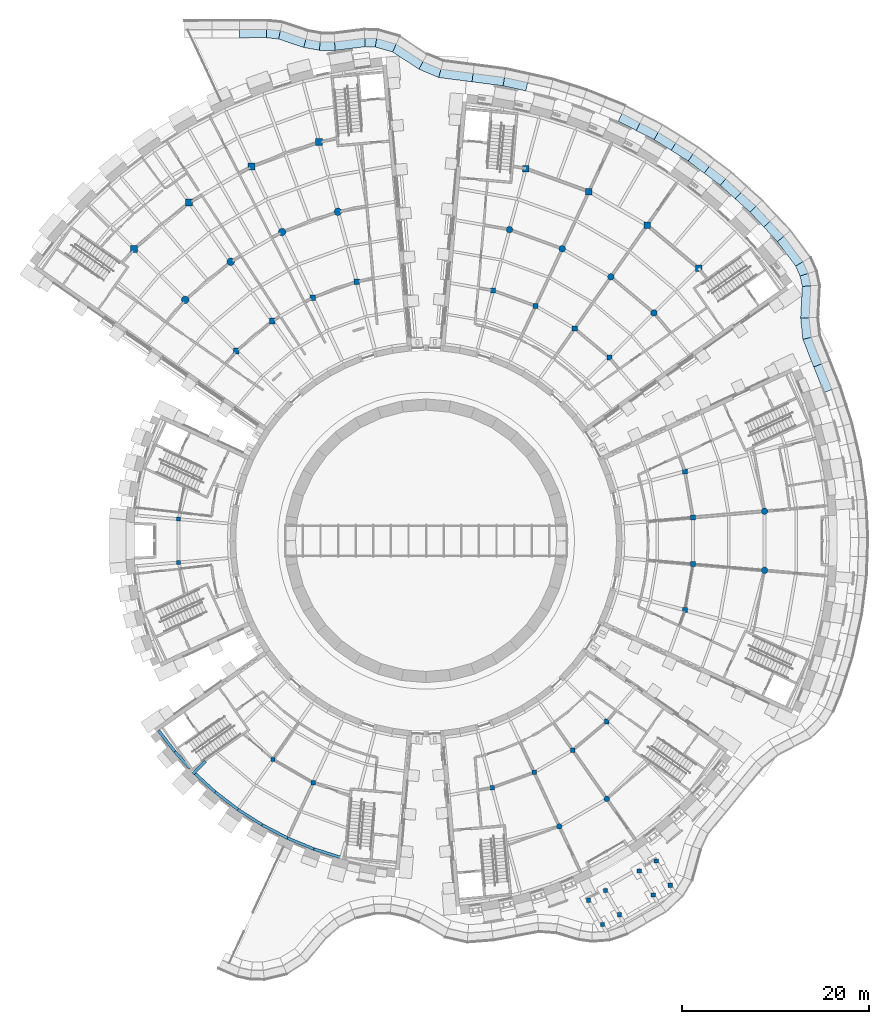
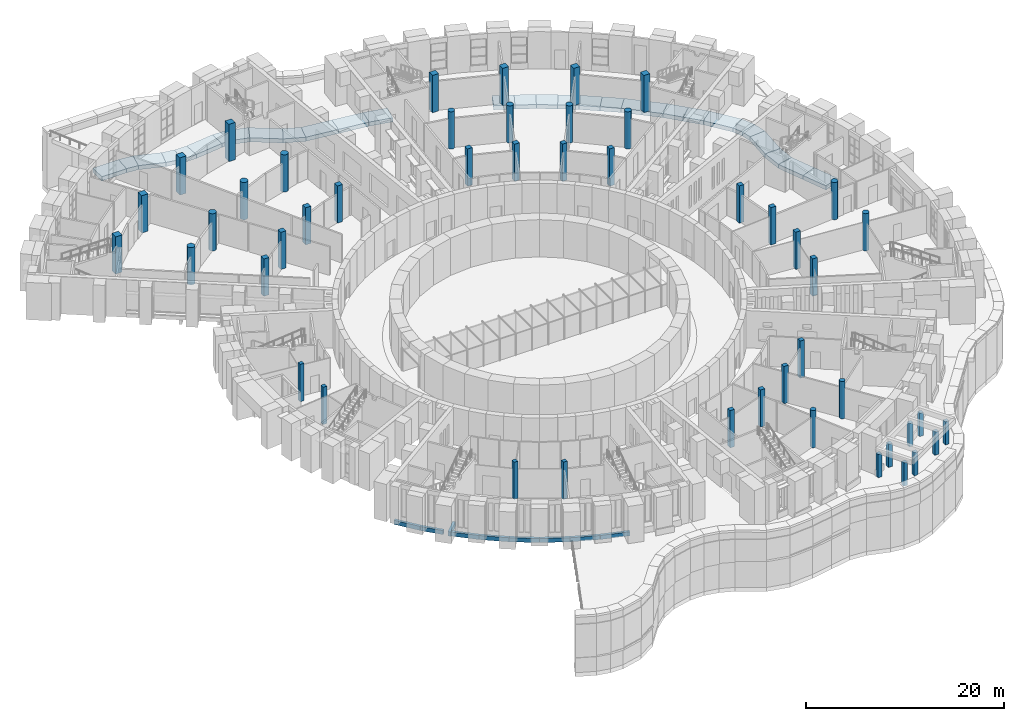
# One storey, part 2 of 85: 48 columns, 30 footings, 9 beams.
"""IFC4 building model written with IfcOpenShell, lengths in metres."""

from ifc_helpers import new_model, si_unit, direction, frame, origin, origin_2d, place, context, subcontext, project, spatial, polyline, rectangle, circle, outline, extrude, material, material_profile, profile_set, type_object, element, save


model = new_model("IFC4")

# Units and contexts
model_context = context("Model", 3, precision=1e-05, world=origin(), true_north=direction((0.0, 1.0)))
body_context = subcontext(model_context, "Body", "Model", "MODEL_VIEW")
ifc_project = project(units=[si_unit("LENGTHUNIT", "METRE"), si_unit("AREAUNIT", "SQUARE_METRE"), si_unit("VOLUMEUNIT", "CUBIC_METRE"), si_unit("PLANEANGLEUNIT", "RADIAN"), si_unit("MASSUNIT", "GRAM", prefix="KILO")], contexts=[model_context])

# Site, building, storey
site_placement = place(None, origin())
site = spatial("IfcSite", under=ifc_project, at=site_placement, CompositionType="ELEMENT")
building_placement = place(site_placement, origin())
building = spatial("IfcBuilding", under=site, at=building_placement, Name="Volute Hill Aquarium", CompositionType="ELEMENT")
storey_placement = place(building_placement, origin())
storey = spatial("IfcBuildingStorey", under=building, at=storey_placement, Name="L01", CompositionType="ELEMENT", Elevation=0.0)

# Footings
ifc_material_1 = material(Name="Concrete C30/37", Category="concrete")
footing_type = type_object("IfcFootingType", Name="Site edge wall footing C30/37 1800", PredefinedType="STRIP_FOOTING", material=ifc_material_1)
footing_1_placement = place(storey_placement, frame((0.0, 0.0, -6.5)))
element("IfcFooting", 1, at=footing_1_placement, inside=storey, type_object=footing_type, Name="ft/RWE/53.0", PredefinedType="STRIP_FOOTING", context=body_context, shape_type="SweptSolid", body=[
    extrude(outline(polyline([(44.31640625, 16.502197265625), (43.20947265625, 19.291259765625), (41.53662109375, 18.627197265625), (42.621826171875, 15.892822265625), (42.621826171875, 15.892822265625), (44.31640625, 16.502197265625), (44.31640625, 16.502197265625)])), origin(), (0.0, 0.0, 1.0), 0.5),
])
footing_2_placement = place(storey_placement, frame((0.0, 0.0, -6.5)))
element("IfcFooting", 2, at=footing_2_placement, inside=storey, type_object=footing_type, Name="ft/RWE/53.1", PredefinedType="STRIP_FOOTING", context=body_context, shape_type="SweptSolid", body=[
    extrude(outline(polyline([(42.131103515625, 22.008544921875), (42.131103515625, 22.008544921875), (40.3662109375, 21.576171875), (40.3662109375, 21.576171875), (41.53662109375, 18.627197265625), (43.20947265625, 19.291259765625), (42.131103515625, 22.008544921875)])), origin(), (0.0, 0.0, 1.0), 0.5),
])
footing_3_placement = place(storey_placement, frame((0.0, 0.0, -6.5)))
element("IfcFooting", 3, at=footing_3_placement, inside=storey, type_object=footing_type, Name="ft/RWE/54.0", PredefinedType="STRIP_FOOTING", context=body_context, shape_type="SweptSolid", body=[
    extrude(outline(polyline([(42.131103515625, 22.008544921875), (41.93408203125, 23.919677734375), (40.129150390625, 23.875), (40.3662109375, 21.576171875), (42.131103515625, 22.008544921875)])), origin(), (0.0, 0.0, 1.0), 0.5),
])
footing_4_placement = place(storey_placement, frame((0.0, 0.0, -6.5)))
element("IfcFooting", 4, at=footing_4_placement, inside=storey, type_object=footing_type, Name="ft/RWE/55.0", PredefinedType="STRIP_FOOTING", context=body_context, shape_type="SweptSolid", body=[
    extrude(outline(polyline([(42.118896484375, 27.39306640625), (42.118896484375, 27.39306640625), (40.30859375, 27.24951171875), (40.30859375, 27.24951171875), (40.129150390625, 23.875), (40.129150390625, 23.875), (41.93408203125, 23.919677734375), (41.93408203125, 23.919677734375), (42.118896484375, 27.39306640625)])), origin(), (0.0, 0.0, 1.0), 0.5),
])
footing_5_placement = place(storey_placement, frame((0.0, 0.0, -6.5)))
element("IfcFooting", 5, at=footing_5_placement, inside=storey, type_object=footing_type, Name="ft/RWE/56.0", PredefinedType="STRIP_FOOTING", context=body_context, shape_type="SweptSolid", body=[
    extrude(outline(polyline([(42.118896484375, 27.39306640625), (41.790771484375, 28.919921875), (40.06982421875, 28.361328125), (40.30859375, 27.24951171875), (42.118896484375, 27.39306640625)])), origin(), (0.0, 0.0, 1.0), 0.5),
])
footing_6_placement = place(storey_placement, frame((0.0, 0.0, -6.5)))
element("IfcFooting", 6, at=footing_6_placement, inside=storey, type_object=footing_type, Name="ft/RWE/57.0", PredefinedType="STRIP_FOOTING", context=body_context, shape_type="SweptSolid", body=[
    extrude(outline(polyline([(41.1572265625, 30.353759765625), (41.1572265625, 30.353759765625), (39.593505859375, 29.439208984375), (39.593505859375, 29.439208984375), (40.06982421875, 28.361328125), (40.06982421875, 28.361328125), (41.790771484375, 28.919921875), (41.790771484375, 28.919921875), (41.1572265625, 30.353759765625)])), origin(), (0.0, 0.0, 1.0), 0.5),
])
footing_7_placement = place(storey_placement, frame((0.0, 0.0, -6.5)))
element("IfcFooting", 7, at=footing_7_placement, inside=storey, type_object=footing_type, Name="ft/RWE/58.0", PredefinedType="STRIP_FOOTING", context=body_context, shape_type="SweptSolid", body=[
    extrude(outline(polyline([(41.1572265625, 30.353759765625), (39.025634765625, 33.20263671875), (37.6416015625, 32.0478515625), (37.6416015625, 32.0478515625), (39.593505859375, 29.439208984375), (41.1572265625, 30.353759765625)])), origin(), (0.0, 0.0, 1.0), 0.5),
])
footing_8_placement = place(storey_placement, frame((0.0, 0.0, -6.5)))
element("IfcFooting", 8, at=footing_8_placement, inside=storey, type_object=footing_type, Name="ft/RWE/59.0", PredefinedType="STRIP_FOOTING", context=body_context, shape_type="SweptSolid", body=[
    extrude(outline(polyline([(39.025634765625, 33.20263671875), (37.50390625, 34.8408203125), (36.18505859375, 33.615966796875), (37.6416015625, 32.0478515625), (39.025634765625, 33.20263671875), (39.025634765625, 33.20263671875)])), origin(), (0.0, 0.0, 1.0), 0.5),
])
footing_9_placement = place(storey_placement, frame((0.0, 0.0, -6.5)))
element("IfcFooting", 9, at=footing_9_placement, inside=storey, type_object=footing_type, Name="ft/RWE/59.1", PredefinedType="STRIP_FOOTING", context=body_context, shape_type="SweptSolid", body=[
    extrude(outline(polyline([(37.50390625, 34.8408203125), (35.985107421875, 36.47607421875), (34.719970703125, 35.193359375), (36.18505859375, 33.615966796875), (37.50390625, 34.8408203125)])), origin(), (0.0, 0.0, 1.0), 0.5),
])
footing_10_placement = place(storey_placement, frame((0.0, 0.0, -6.5)))
element("IfcFooting", 10, at=footing_10_placement, inside=storey, type_object=footing_type, Name="ft/RWE/60.0", PredefinedType="STRIP_FOOTING", context=body_context, shape_type="SweptSolid", body=[
    extrude(outline(polyline([(35.985107421875, 36.47607421875), (34.327392578125, 37.974609375), (33.120361328125, 36.639404296875), (34.719970703125, 35.193359375), (34.719970703125, 35.193359375), (35.985107421875, 36.47607421875), (35.985107421875, 36.47607421875)])), origin(), (0.0, 0.0, 1.0), 0.5),
])
footing_11_placement = place(storey_placement, frame((0.0, 0.0, -6.5)))
element("IfcFooting", 11, at=footing_11_placement, inside=storey, type_object=footing_type, Name="ft/RWE/60.1", PredefinedType="STRIP_FOOTING", context=body_context, shape_type="SweptSolid", body=[
    extrude(outline(polyline([(32.66943359375, 39.473388671875), (32.66943359375, 39.473388671875), (31.5205078125, 38.085205078125), (31.5205078125, 38.085205078125), (33.120361328125, 36.639404296875), (34.327392578125, 37.974609375), (32.66943359375, 39.473388671875)])), origin(), (0.0, 0.0, 1.0), 0.5),
])
footing_12_placement = place(storey_placement, frame((0.0, 0.0, -6.5)))
element("IfcFooting", 12, at=footing_12_placement, inside=storey, type_object=footing_type, Name="ft/RWE/61.0", PredefinedType="STRIP_FOOTING", context=body_context, shape_type="SweptSolid", body=[
    extrude(outline(polyline([(32.66943359375, 39.473388671875), (30.886962890625, 40.822021484375), (29.80078125, 39.386474609375), (31.5205078125, 38.085205078125), (32.66943359375, 39.473388671875)])), origin(), (0.0, 0.0, 1.0), 0.5),
])
footing_13_placement = place(storey_placement, frame((0.0, 0.0, -6.5)))
element("IfcFooting", 13, at=footing_13_placement, inside=storey, type_object=footing_type, Name="ft/RWE/61.1", PredefinedType="STRIP_FOOTING", context=body_context, shape_type="SweptSolid", body=[
    extrude(outline(polyline([(29.1044921875, 42.170654296875), (29.1044921875, 42.170654296875), (28.0810546875, 40.687744140625), (28.0810546875, 40.687744140625), (29.80078125, 39.386474609375), (30.886962890625, 40.822021484375), (29.1044921875, 42.170654296875)])), origin(), (0.0, 0.0, 1.0), 0.5),
])
footing_14_placement = place(storey_placement, frame((0.0, 0.0, -6.5)))
element("IfcFooting", 14, at=footing_14_placement, inside=storey, type_object=footing_type, Name="ft/RWE/62.0", PredefinedType="STRIP_FOOTING", context=body_context, shape_type="SweptSolid", body=[
    extrude(outline(polyline([(29.1044921875, 42.170654296875), (27.21142578125, 43.358642578125), (26.254638671875, 41.833984375), (28.0810546875, 40.687744140625), (29.1044921875, 42.170654296875)])), origin(), (0.0, 0.0, 1.0), 0.5),
])
footing_15_placement = place(storey_placement, frame((0.0, 0.0, -6.5)))
element("IfcFooting", 15, at=footing_15_placement, inside=storey, type_object=footing_type, Name="ft/RWE/62.1", PredefinedType="STRIP_FOOTING", context=body_context, shape_type="SweptSolid", body=[
    extrude(outline(polyline([(27.21142578125, 43.358642578125), (25.318603515625, 44.546630859375), (24.42822265625, 42.980224609375), (24.42822265625, 42.980224609375), (26.254638671875, 41.833984375), (27.21142578125, 43.358642578125)])), origin(), (0.0, 0.0, 1.0), 0.5),
])
footing_16_placement = place(storey_placement, frame((0.0, 0.0, -6.5)))
element("IfcFooting", 16, at=footing_16_placement, inside=storey, type_object=footing_type, Name="ft/RWE/63.0", PredefinedType="STRIP_FOOTING", context=body_context, shape_type="SweptSolid", body=[
    extrude(outline(polyline([(25.318603515625, 44.546630859375), (23.3291015625, 45.565185546875), (22.5087890625, 43.963134765625), (24.42822265625, 42.980224609375), (25.318603515625, 44.546630859375), (25.318603515625, 44.546630859375)])), origin(), (0.0, 0.0, 1.0), 0.5),
])
footing_17_placement = place(storey_placement, frame((0.0, 0.0, -6.5)))
element("IfcFooting", 17, at=footing_17_placement, inside=storey, type_object=footing_type, Name="ft/RWE/63.1", PredefinedType="STRIP_FOOTING", context=body_context, shape_type="SweptSolid", body=[
    extrude(outline(polyline([(23.3291015625, 45.565185546875), (21.339599609375, 46.583984375), (20.589111328125, 44.94580078125), (22.5087890625, 43.963134765625), (23.3291015625, 45.565185546875)])), origin(), (0.0, 0.0, 1.0), 0.5),
])
footing_18_placement = place(storey_placement, frame((0.0, 0.0, -6.5)))
element("IfcFooting", 18, at=footing_18_placement, inside=storey, type_object=footing_type, Name="ft/RWE/66.1", PredefinedType="STRIP_FOOTING", context=body_context, shape_type="SweptSolid", body=[
    extrude(outline(polyline([(11.076416015625, 49.960693359375), (8.55419921875, 50.519775390625), (8.2431640625, 48.7451171875), (10.68701171875, 48.203369140625), (11.076416015625, 49.960693359375)])), origin(), (0.0, 0.0, 1.0), 0.5),
])
footing_19_placement = place(storey_placement, frame((0.0, 0.0, -6.5)))
element("IfcFooting", 19, at=footing_19_placement, inside=storey, type_object=footing_type, Name="ft/RWE/67.0", PredefinedType="STRIP_FOOTING", context=body_context, shape_type="SweptSolid", body=[
    extrude(outline(polyline([(8.55419921875, 50.519775390625), (5.14892578125, 50.96044921875), (4.91796875, 49.17529296875), (8.2431640625, 48.7451171875), (8.2431640625, 48.7451171875), (8.55419921875, 50.519775390625), (8.55419921875, 50.519775390625)])), origin(), (0.0, 0.0, 1.0), 0.5),
])
footing_20_placement = place(storey_placement, frame((0.0, 0.0, -6.5)))
element("IfcFooting", 20, at=footing_20_placement, inside=storey, type_object=footing_type, Name="ft/RWE/67.1", PredefinedType="STRIP_FOOTING", context=body_context, shape_type="SweptSolid", body=[
    extrude(outline(polyline([(5.14892578125, 50.96044921875), (1.82373046875, 51.390625), (1.3525390625, 49.636474609375), (4.91796875, 49.17529296875), (5.14892578125, 50.96044921875)])), origin(), (0.0, 0.0, 1.0), 0.5),
])
footing_21_placement = place(storey_placement, frame((0.0, 0.0, -6.5)))
element("IfcFooting", 21, at=footing_21_placement, inside=storey, type_object=footing_type, Name="ft/RWE/68.0", PredefinedType="STRIP_FOOTING", context=body_context, shape_type="SweptSolid", body=[
    extrude(outline(polyline([(1.82373046875, 51.390625), (0.07958984375, 52.1201171875), (-0.7685546875, 50.523681640625), (1.3525390625, 49.636474609375), (1.3525390625, 49.636474609375), (1.82373046875, 51.390625), (1.82373046875, 51.390625)])), origin(), (0.0, 0.0, 1.0), 0.5),
])
footing_22_placement = place(storey_placement, frame((0.0, 0.0, -6.5)))
element("IfcFooting", 22, at=footing_22_placement, inside=storey, type_object=footing_type, Name="ft/RWE/69.0", PredefinedType="STRIP_FOOTING", context=body_context, shape_type="SweptSolid", body=[
    extrude(outline(polyline([(0.07958984375, 52.1201171875), (-2.83056640625, 54.029541015625), (-3.589599609375, 52.37451171875), (-0.7685546875, 50.523681640625), (-0.7685546875, 50.523681640625), (0.07958984375, 52.1201171875), (0.07958984375, 52.1201171875)])), origin(), (0.0, 0.0, 1.0), 0.5),
])
footing_23_placement = place(storey_placement, frame((0.0, 0.0, -6.5)))
element("IfcFooting", 23, at=footing_23_placement, inside=storey, type_object=footing_type, Name="ft/RWE/70.0", PredefinedType="STRIP_FOOTING", context=body_context, shape_type="SweptSolid", body=[
    extrude(outline(polyline([(-5.16748046875, 54.699951171875), (-5.16748046875, 54.699951171875), (-5.4443359375, 52.90673828125), (-5.4443359375, 52.90673828125), (-3.589599609375, 52.37451171875), (-3.589599609375, 52.37451171875), (-2.83056640625, 54.029541015625), (-2.83056640625, 54.029541015625), (-5.16748046875, 54.699951171875)])), origin(), (0.0, 0.0, 1.0), 0.5),
])
footing_24_placement = place(storey_placement, frame((0.0, 0.0, -6.5)))
element("IfcFooting", 24, at=footing_24_placement, inside=storey, type_object=footing_type, Name="ft/RWE/71.0", PredefinedType="STRIP_FOOTING", context=body_context, shape_type="SweptSolid", body=[
    extrude(outline(polyline([(-5.16748046875, 54.699951171875), (-6.619384765625, 54.739013671875), (-6.53369140625, 52.93603515625), (-5.4443359375, 52.90673828125), (-5.16748046875, 54.699951171875)])), origin(), (0.0, 0.0, 1.0), 0.5),
])
footing_25_placement = place(storey_placement, frame((0.0, 0.0, -6.5)))
element("IfcFooting", 25, at=footing_25_placement, inside=storey, type_object=footing_type, Name="ft/RWE/72.0", PredefinedType="STRIP_FOOTING", context=body_context, shape_type="SweptSolid", body=[
    extrude(outline(polyline([(-6.619384765625, 54.739013671875), (-9.85546875, 54.34326171875), (-9.751220703125, 52.54248046875), (-6.53369140625, 52.93603515625), (-6.53369140625, 52.93603515625), (-6.619384765625, 54.739013671875), (-6.619384765625, 54.739013671875)])), origin(), (0.0, 0.0, 1.0), 0.5),
])
footing_26_placement = place(storey_placement, frame((0.0, 0.0, -6.5)))
element("IfcFooting", 26, at=footing_26_placement, inside=storey, type_object=footing_type, Name="ft/RWE/73.0", PredefinedType="STRIP_FOOTING", context=body_context, shape_type="SweptSolid", body=[
    extrude(outline(polyline([(-9.85546875, 54.34326171875), (-11.2666015625, 54.3515625), (-11.431640625, 52.552490234375), (-9.751220703125, 52.54248046875), (-9.751220703125, 52.54248046875), (-9.85546875, 54.34326171875), (-9.85546875, 54.34326171875)])), origin(), (0.0, 0.0, 1.0), 0.5),
])
footing_27_placement = place(storey_placement, frame((0.0, 0.0, -6.5)))
element("IfcFooting", 27, at=footing_27_placement, inside=storey, type_object=footing_type, Name="ft/RWE/74.0", PredefinedType="STRIP_FOOTING", context=body_context, shape_type="SweptSolid", body=[
    extrude(outline(polyline([(-12.658935546875, 54.6005859375), (-12.658935546875, 54.6005859375), (-13.107421875, 52.852294921875), (-13.107421875, 52.852294921875), (-11.431640625, 52.552490234375), (-11.431640625, 52.552490234375), (-11.2666015625, 54.3515625), (-11.2666015625, 54.3515625), (-12.658935546875, 54.6005859375)])), origin(), (0.0, 0.0, 1.0), 0.5),
])
footing_28_placement = place(storey_placement, frame((0.0, 0.0, -6.5)))
element("IfcFooting", 28, at=footing_28_placement, inside=storey, type_object=footing_type, Name="ft/RWE/75.0", PredefinedType="STRIP_FOOTING", context=body_context, shape_type="SweptSolid", body=[
    extrude(outline(polyline([(-12.658935546875, 54.6005859375), (-15.420166015625, 55.5322265625), (-15.80615234375, 53.7626953125), (-13.107421875, 52.852294921875), (-12.658935546875, 54.6005859375)])), origin(), (0.0, 0.0, 1.0), 0.5),
])
footing_29_placement = place(storey_placement, frame((0.0, 0.0, -6.5)))
element("IfcFooting", 29, at=footing_29_placement, inside=storey, type_object=footing_type, Name="ft/RWE/76.0", PredefinedType="STRIP_FOOTING", context=body_context, shape_type="SweptSolid", body=[
    extrude(outline(polyline([(-17.025390625, 55.699951171875), (-17.025390625, 55.699951171875), (-17.118408203125, 53.89990234375), (-17.118408203125, 53.89990234375), (-15.80615234375, 53.7626953125), (-15.80615234375, 53.7626953125), (-15.420166015625, 55.5322265625), (-15.420166015625, 55.5322265625), (-17.025390625, 55.699951171875)])), origin(), (0.0, 0.0, 1.0), 0.5),
])
footing_30_placement = place(storey_placement, frame((0.0, 0.0, -6.5)))
element("IfcFooting", 30, at=footing_30_placement, inside=storey, type_object=footing_type, Name="ft/RWE/77.0", PredefinedType="STRIP_FOOTING", context=body_context, shape_type="SweptSolid", body=[
    extrude(outline(polyline([(-17.025390625, 55.699951171875), (-19.998291015625, 55.697021484375), (-19.99658203125, 53.897216796875), (-17.118408203125, 53.89990234375), (-17.025390625, 55.699951171875)])), origin(), (0.0, 0.0, 1.0), 0.5),
])

# Columns
ifc_material_2 = material(Name="Concrete C35/45", Category="concrete")
ifc_material_profile_1 = material_profile(ifc_material_2, rectangle(XDim=0.449951171875, YDim=0.449951171875, at=origin_2d()), Name="RC column 450x450")
ifc_profile_set_1 = profile_set([ifc_material_profile_1], Name="Concrete C35/45")
column_type_1 = type_object("IfcColumnType", Name="Canopy column RC 450x450", PredefinedType="COLUMN", material=ifc_profile_set_1)
for number, where, z_axis, x_axis, name in (
    (31, (17.3876953125, -38.516357421875, 0.0), (0.0, 0.0, 1.0), (1.0, 0.0, 0.0), "cn/S3/L01/c0.0"),
    (32, (18.8876953125, -41.114501953125, 0.0), (0.0, 0.0, 1.0), (1.0, 0.0, 0.0), "cn/S3/L01/c0.1"),
    (33, (19.206298828125, -37.46630859375, 0.0), (0.0, 0.0, 1.0), (1.0, 0.0, 0.0), "cn/S3/L01/c1.0"),
    (34, (20.706298828125, -40.064453125, 0.0), (0.0, 0.0, 1.0), (1.0, 0.0, 0.0), "cn/S3/L01/c1.1"),
    (35, (22.84375, -35.366455078125, 0.0), (0.0, 0.0, 1.0), (1.0, 0.0, 0.0), "cn/S3/L01/c2.0"),
    (36, (24.34375, -37.96435546875, 0.0), (0.0, 0.0, 1.0), (1.0, 0.0, 0.0), "cn/S3/L01/c2.1"),
    (37, (24.662353515625, -34.31640625, 0.0), (0.0, 0.0, 1.0), (1.0, 0.0, 0.0), "cn/S3/L01/c3.0"),
    (38, (26.162353515625, -36.914306640625, 0.0), (0.0, 0.0, 1.0), (1.0, 0.0, 0.0), "cn/S3/L01/c3.1"),
):
    element("IfcColumn", number, at=place(storey_placement, frame(where, z_axis=z_axis, x_axis=x_axis)), inside=storey, type_object=column_type_1, Name=name, PredefinedType="COLUMN", context=body_context, shape_type="SweptSolid", body=[
        extrude(rectangle(XDim=0.449951171875, YDim=0.449951171875, at=origin_2d()), origin(), (0.0, 0.0, 1.0), 2.860107421875),
    ])
ifc_material_3 = material(Name="Concrete C35/45", Category="concrete")
ifc_material_profile_2 = material_profile(ifc_material_3, rectangle(XDim=0.449951171875, YDim=0.449951171875, at=origin_2d()), Name="RC column 450x450")
ifc_profile_set_2 = profile_set([ifc_material_profile_2], Name="Concrete C35/45")
column_type_2 = type_object("IfcColumnType", Name="Column column 450x450 C35/45", PredefinedType="COLUMN", material=ifc_profile_set_2)
for number, where, z_axis, x_axis, name in (
    (39, (-26.523681640625, 2.320556640625, 0.0), (0.0, 0.0, 1.0), (1.0, 0.0, 0.0), "col/S1/L01/1.2"),
    (40, (-26.523681640625, -2.320556640625, 0.0), (0.0, 0.0, 1.0), (1.0, 0.0, 0.0), "col/S1/L01/1.3"),
    (41, (-16.404296875, -23.427734375, 0.0), (0.0, 0.0, 1.0), (1.0, 0.0, 0.0), "col/S2/L01/1.2"),
    (42, (-12.0869140625, -25.92041015625, 0.0), (0.0, 0.0, 1.0), (1.0, 0.0, 0.0), "col/S2/L01/1.3"),
):
    element("IfcColumn", number, at=place(storey_placement, frame(where, z_axis=z_axis, x_axis=x_axis)), inside=storey, type_object=column_type_2, Name=name, PredefinedType="COLUMN", context=body_context, shape_type="SweptSolid", body=[
        extrude(rectangle(XDim=0.449951171875, YDim=0.449951171875, at=origin_2d()), origin(), (0.0, 0.0, 1.0), 4.60009765625),
    ])
ifc_material_4 = material(Name="Concrete C35/45", Category="concrete")
ifc_material_profile_3 = material_profile(ifc_material_4, rectangle(XDim=0.5, YDim=0.5, at=origin_2d()), Name="RC column 500x500")
ifc_profile_set_3 = profile_set([ifc_material_profile_3], Name="Concrete C35/45")
column_type_3 = type_object("IfcColumnType", Name="Column column 500x500 C35/45", PredefinedType="COLUMN", material=ifc_profile_set_3)
for number, where, z_axis, x_axis, name in (
    (43, (7.08740234375, -26.4501953125, 0.0), (0.0, 0.0, 1.0), (1.0, 0.0, 0.0), "col/S3/L01/1.1"),
    (44, (11.57275390625, -24.817626953125, 0.0), (0.0, 0.0, 1.0), (1.0, 0.0, 0.0), "col/S3/L01/1.2"),
    (45, (15.706298828125, -22.43115234375, 0.0), (0.0, 0.0, 1.0), (1.0, 0.0, 0.0), "col/S3/L01/1.3"),
    (46, (19.36279296875, -19.36279296875, 0.0), (0.0, 0.0, 1.0), (1.0, 0.0, 0.0), "col/S3/L01/1.4"),
):
    element("IfcColumn", number, at=place(storey_placement, frame(where, z_axis=z_axis, x_axis=x_axis)), inside=storey, type_object=column_type_3, Name=name, PredefinedType="COLUMN", context=body_context, shape_type="SweptSolid", body=[
        extrude(rectangle(XDim=0.5, YDim=0.5, at=origin_2d()), origin(), (0.0, 0.0, 1.0), 4.60009765625),
    ])
ifc_material_5 = material(Name="Concrete C35/45", Category="concrete")
ifc_material_profile_4 = material_profile(ifc_material_5, rectangle(XDim=0.550048828125, YDim=0.550048828125, at=origin_2d()), Name="RC column 550x550")
ifc_profile_set_4 = profile_set([ifc_material_profile_4], Name="Concrete C35/45")
column_type_4 = type_object("IfcColumnType", Name="Column column 550x550 C35/45", PredefinedType="COLUMN", material=ifc_profile_set_4)
for number, where, z_axis, x_axis, name in (
    (47, (27.72216796875, -7.427978515625, 0.0), (0.0, 0.0, 1.0), (1.0, 0.0, 0.0), "col/S4/L01/1.1"),
    (48, (28.5908203125, -2.50146484375, 0.0), (0.0, 0.0, 1.0), (1.0, 0.0, 0.0), "col/S4/L01/1.2"),
    (49, (28.5908203125, 2.50146484375, 0.0), (0.0, 0.0, 1.0), (1.0, 0.0, 0.0), "col/S4/L01/1.3"),
    (50, (27.72216796875, 7.427978515625, 0.0), (0.0, 0.0, 1.0), (1.0, 0.0, 0.0), "col/S4/L01/1.4"),
    (51, (19.631103515625, 19.631103515625, 0.0), (0.0, 0.0, 1.0), (1.0, 0.0, 0.0), "col/S5/L01/1.1"),
    (52, (15.923828125, 22.74169921875, 0.0), (0.0, 0.0, 1.0), (1.0, 0.0, 0.0), "col/S5/L01/1.2"),
    (53, (11.73291015625, 25.161376953125, 0.0), (0.0, 0.0, 1.0), (1.0, 0.0, 0.0), "col/S5/L01/1.3"),
    (54, (7.185546875, 26.81640625, 0.0), (0.0, 0.0, 1.0), (1.0, 0.0, 0.0), "col/S5/L01/1.4"),
):
    element("IfcColumn", number, at=place(storey_placement, frame(where, z_axis=z_axis, x_axis=x_axis)), inside=storey, type_object=column_type_4, Name=name, PredefinedType="COLUMN", context=body_context, shape_type="SweptSolid", body=[
        extrude(rectangle(XDim=0.550048828125, YDim=0.550048828125, at=origin_2d()), origin(), (0.0, 0.0, 1.0), 4.60009765625),
    ])
ifc_material_6 = material(Name="Concrete C35/45", Category="concrete")
ifc_material_profile_5 = material_profile(ifc_material_6, rectangle(XDim=0.60009765625, YDim=0.60009765625, at=origin_2d()), Name="RC column 600x600")
ifc_profile_set_5 = profile_set([ifc_material_profile_5], Name="Concrete C35/45")
column_type_5 = type_object("IfcColumnType", Name="Column column 600x600 C35/45", PredefinedType="COLUMN", material=ifc_profile_set_5)
for number, where, z_axis, x_axis, name in (
    (55, (-7.44091796875, 27.7705078125, 0.0), (0.0, 0.0, 1.0), (1.0, 0.0, 0.0), "col/S6/L01/1.1"),
    (56, (-12.150390625, 26.056396484375, 0.0), (0.0, 0.0, 1.0), (1.0, 0.0, 0.0), "col/S6/L01/1.2"),
    (57, (-16.490234375, 23.550537109375, 0.0), (0.0, 0.0, 1.0), (1.0, 0.0, 0.0), "col/S6/L01/1.3"),
    (58, (-20.329345703125, 20.329345703125, 0.0), (0.0, 0.0, 1.0), (1.0, 0.0, 0.0), "col/S6/L01/1.4"),
):
    element("IfcColumn", number, at=place(storey_placement, frame(where, z_axis=z_axis, x_axis=x_axis)), inside=storey, type_object=column_type_5, Name=name, PredefinedType="COLUMN", context=body_context, shape_type="SweptSolid", body=[
        extrude(rectangle(XDim=0.60009765625, YDim=0.60009765625, at=origin_2d()), origin(), (0.0, 0.0, 1.0), 4.60009765625),
    ])
ifc_material_7 = material(Name="Concrete C35/45", Category="concrete")
ifc_material_profile_6 = material_profile(ifc_material_7, rectangle(XDim=0.699951171875, YDim=0.699951171875, at=origin_2d()), Name="RC column 700x700")
ifc_profile_set_6 = profile_set([ifc_material_profile_6], Name="Concrete C35/45")
column_type_6 = type_object("IfcColumnType", Name="Column column 700x700 C35/45", PredefinedType="COLUMN", material=ifc_profile_set_6)
for number, where, z_axis, x_axis, name in (
    (59, (29.194580078125, 29.194580078125, 0.0), (0.0, 0.0, 1.0), (1.0, 0.0, 0.0), "col/S5/L01/3.1"),
    (60, (23.681396484375, 33.82080078125, 0.0), (0.0, 0.0, 1.0), (1.0, 0.0, 0.0), "col/S5/L01/3.2"),
    (61, (17.448974609375, 37.419189453125, 0.0), (0.0, 0.0, 1.0), (1.0, 0.0, 0.0), "col/S5/L01/3.3"),
    (62, (10.68603515625, 39.880615234375, 0.0), (0.0, 0.0, 1.0), (1.0, 0.0, 0.0), "col/S5/L01/3.4"),
):
    element("IfcColumn", number, at=place(storey_placement, frame(where, z_axis=z_axis, x_axis=x_axis)), inside=storey, type_object=column_type_6, Name=name, PredefinedType="COLUMN", context=body_context, shape_type="SweptSolid", body=[
        extrude(rectangle(XDim=0.699951171875, YDim=0.699951171875, at=origin_2d()), origin(), (0.0, 0.0, 1.0), 4.60009765625),
    ])
ifc_material_8 = material(Name="Concrete C35/45", Category="concrete")
ifc_material_profile_7 = material_profile(ifc_material_8, rectangle(XDim=0.75, YDim=0.75, at=origin_2d()), Name="RC column 750x750")
ifc_profile_set_7 = profile_set([ifc_material_profile_7], Name="Concrete C35/45")
column_type_7 = type_object("IfcColumnType", Name="Column column 750x750 C35/45", PredefinedType="COLUMN", material=ifc_profile_set_7)
for number, where, z_axis, x_axis, name in (
    (63, (-11.45263671875, 42.7421875, 0.0), (0.0, 0.0, 1.0), (1.0, 0.0, 0.0), "col/S6/L01/3.1"),
    (64, (-18.700927734375, 40.10400390625, 0.0), (0.0, 0.0, 1.0), (1.0, 0.0, 0.0), "col/S6/L01/3.2"),
    (65, (-25.380859375, 36.24755859375, 0.0), (0.0, 0.0, 1.0), (1.0, 0.0, 0.0), "col/S6/L01/3.3"),
    (66, (-31.28955078125, 31.28955078125, 0.0), (0.0, 0.0, 1.0), (1.0, 0.0, 0.0), "col/S6/L01/3.4"),
):
    element("IfcColumn", number, at=place(storey_placement, frame(where, z_axis=z_axis, x_axis=x_axis)), inside=storey, type_object=column_type_7, Name=name, PredefinedType="COLUMN", context=body_context, shape_type="SweptSolid", body=[
        extrude(rectangle(XDim=0.75, YDim=0.75, at=origin_2d()), origin(), (0.0, 0.0, 1.0), 4.60009765625),
    ])
ifc_material_9 = material(Name="Concrete C35/45", Category="concrete")
ifc_material_profile_8 = material_profile(ifc_material_9, circle(Radius=0.300048828125, at=origin_2d()), Name="RC round column D600")
ifc_profile_set_8 = profile_set([ifc_material_profile_8], Name="Concrete C35/45")
column_type_8 = type_object("IfcColumnType", Name="Column round column D600 C35/45", PredefinedType="COLUMN", material=ifc_profile_set_8)
for number, where, z_axis, x_axis, name in (
    (67, (14.2705078125, -30.60302734375, 0.0), (0.0, 0.0, 1.0), (1.0, 0.0, 0.0), "col/S3/L01/2.2"),
    (68, (19.367919921875, -27.66015625, 0.0), (0.0, 0.0, 1.0), (1.0, 0.0, 0.0), "col/S3/L01/2.3"),
):
    element("IfcColumn", number, at=place(storey_placement, frame(where, z_axis=z_axis, x_axis=x_axis)), inside=storey, type_object=column_type_8, Name=name, PredefinedType="COLUMN", context=body_context, shape_type="SweptSolid", body=[
        extrude(circle(Radius=0.300048828125, at=origin_2d()), origin(), (0.0, 0.0, 1.0), 4.60009765625),
    ])
ifc_material_10 = material(Name="Concrete C35/45", Category="concrete")
ifc_material_profile_9 = material_profile(ifc_material_10, circle(Radius=0.35009765625, at=origin_2d()), Name="RC round column D700")
ifc_profile_set_9 = profile_set([ifc_material_profile_9], Name="Concrete C35/45")
column_type_9 = type_object("IfcColumnType", Name="Column round column D700 C35/45", PredefinedType="COLUMN", material=ifc_profile_set_9)
for number, where, z_axis, x_axis, name in (
    (69, (36.261474609375, -3.172607421875, 0.0), (0.0, 0.0, 1.0), (1.0, 0.0, 0.0), "col/S4/L01/2.2"),
    (70, (36.261474609375, 3.172607421875, 0.0), (0.0, 0.0, 1.0), (1.0, 0.0, 0.0), "col/S4/L01/2.3"),
    (71, (24.412841796875, 24.412841796875, 0.0), (0.0, 0.0, 1.0), (1.0, 0.0, 0.0), "col/S5/L01/2.1"),
    (72, (19.802734375, 28.28125, 0.0), (0.0, 0.0, 1.0), (1.0, 0.0, 0.0), "col/S5/L01/2.2"),
    (73, (14.5908203125, 31.290283203125, 0.0), (0.0, 0.0, 1.0), (1.0, 0.0, 0.0), "col/S5/L01/2.3"),
    (74, (8.935791015625, 33.3486328125, 0.0), (0.0, 0.0, 1.0), (1.0, 0.0, 0.0), "col/S5/L01/2.4"),
):
    element("IfcColumn", number, at=place(storey_placement, frame(where, z_axis=z_axis, x_axis=x_axis)), inside=storey, type_object=column_type_9, Name=name, PredefinedType="COLUMN", context=body_context, shape_type="SweptSolid", body=[
        extrude(circle(Radius=0.35009765625, at=origin_2d()), origin(), (0.0, 0.0, 1.0), 4.60009765625),
    ])
ifc_material_11 = material(Name="Concrete C35/45", Category="concrete")
ifc_material_profile_10 = material_profile(ifc_material_11, circle(Radius=0.39990234375, at=origin_2d()), Name="RC round column D800")
ifc_profile_set_10 = profile_set([ifc_material_profile_10], Name="Concrete C35/45")
column_type_10 = type_object("IfcColumnType", Name="Column round column D800 C35/45", PredefinedType="COLUMN", material=ifc_profile_set_10)
for number, where, z_axis, x_axis, name in (
    (75, (-9.447021484375, 35.25634765625, 0.0), (0.0, 0.0, 1.0), (1.0, 0.0, 0.0), "col/S6/L01/2.1"),
    (76, (-15.425537109375, 33.080078125, 0.0), (0.0, 0.0, 1.0), (1.0, 0.0, 0.0), "col/S6/L01/2.2"),
    (77, (-20.935546875, 29.89892578125, 0.0), (0.0, 0.0, 1.0), (1.0, 0.0, 0.0), "col/S6/L01/2.3"),
    (78, (-25.809326171875, 25.809326171875, 0.0), (0.0, 0.0, 1.0), (1.0, 0.0, 0.0), "col/S6/L01/2.4"),
):
    element("IfcColumn", number, at=place(storey_placement, frame(where, z_axis=z_axis, x_axis=x_axis)), inside=storey, type_object=column_type_10, Name=name, PredefinedType="COLUMN", context=body_context, shape_type="SweptSolid", body=[
        extrude(circle(Radius=0.39990234375, at=origin_2d()), origin(), (0.0, 0.0, 1.0), 4.60009765625),
    ])

# Beams
ifc_material_12 = material(Name="Concrete C35/45", Category="concrete")
ifc_material_profile_11 = material_profile(ifc_material_12, rectangle(XDim=0.300048828125, YDim=0.550048828125, at=origin_2d()), Name="RC beam 300x550")
ifc_profile_set_11 = profile_set([ifc_material_profile_11], Name="Concrete C35/45")
beam_type_1 = type_object("IfcBeamType", Name="Beam 300x550 C35/45", PredefinedType="BEAM", material=ifc_profile_set_11)
beam_1_placement = place(storey_placement, frame((-23.6181640625, -23.6181640625, -0.534912109375), z_axis=(-0.707106781187, -0.707106781187, 0.0), x_axis=(0.707106781187, -0.707106781187, 0.0)))
element("IfcBeam", 79, at=beam_1_placement, inside=storey, type_object=beam_type_1, Name="bm/S2/L01/rad1.2", PredefinedType="BEAM", context=body_context, shape_type="SweptSolid", body=[
    extrude(rectangle(XDim=0.300048828125, YDim=0.550048828125, at=origin_2d()), origin(), (0.0, 0.0, 1.0), 1.89892578125),
])
ifc_material_13 = material(Name="Concrete C35/45", Category="concrete")
ifc_material_profile_12 = material_profile(ifc_material_13, rectangle(XDim=0.300048828125, YDim=0.5, at=origin_2d()), Name="RC edge beam 300x500")
ifc_profile_set_12 = profile_set([ifc_material_profile_12], Name="Concrete C35/45")
beam_type_2 = type_object("IfcBeamType", Name="Edge beam 300x500 C35/45", PredefinedType="BEAM", material=ifc_profile_set_12)
beam_2_placement = place(storey_placement, frame((-28.671142578125, -20.320068359375, -0.510009765625), z_axis=(0.608714055823, -0.793389688768, 0.0), x_axis=(0.793389688768, 0.608714055823, 0.0)))
element("IfcBeam", 80, at=beam_2_placement, inside=storey, type_object=beam_type_2, Name="bm/S2/L01/edgeO.22", PredefinedType="BEAM", context=body_context, shape_type="SweptSolid", body=[
    extrude(rectangle(XDim=0.300048828125, YDim=0.5, at=origin_2d()), origin(), (0.0, 0.0, 1.0), 2.8662109375),
])
beam_3_placement = place(storey_placement, frame((-26.926513671875, -22.593994140625, -0.510009765625), z_axis=(0.675692674753, -0.737183429877, 0.0), x_axis=(0.737183429877, 0.675692674753, 0.0)))
element("IfcBeam", 81, at=beam_3_placement, inside=storey, type_object=beam_type_2, Name="bm/S2/L01/edgeO.23", PredefinedType="BEAM", context=body_context, shape_type="SweptSolid", body=[
    extrude(rectangle(XDim=0.300048828125, YDim=0.5, at=origin_2d()), origin(), (0.0, 0.0, 1.0), 2.421875),
])
for number, where, z_axis, x_axis, name in (
    (82, (-24.854736328125, -24.854736328125, -0.510009765625), (0.737246668426, -0.675623674759, 0.0), (0.675623674759, 0.737246668426, 0.0), "bm/S2/L01/edgeO.24"),
    (83, (-22.593994140625, -26.926513671875, -0.510009765625), (0.793369237172, -0.608740711231, 0.0), (0.608740711231, 0.793369237172, 0.0), "bm/S2/L01/edgeO.25"),
    (84, (-20.1611328125, -28.793212890625, -0.510009765625), (0.843408953942, -0.537272125101, 0.0), (0.537272125101, 0.843408953942, 0.0), "bm/S2/L01/edgeO.26"),
    (85, (-17.574951171875, -30.440673828125, -0.510009765625), (0.886999012566, -0.46177131971, 0.0), (0.46177131971, 0.886999012566, 0.0), "bm/S2/L01/edgeO.27"),
    (86, (-14.85498046875, -31.856689453125, -0.510009765625), (0.923894568601, -0.382647130015, 0.0), (0.382647130015, 0.923894568601, 0.0), "bm/S2/L01/edgeO.28"),
    (87, (-12.02197265625, -33.030029296875, -0.510009765625), (0.953716133146, -0.300708392595, 0.0), (0.300708392595, 0.953716133146, 0.0), "bm/S2/L01/edgeO.29"),
):
    element("IfcBeam", number, at=place(storey_placement, frame(where, z_axis=z_axis, x_axis=x_axis)), inside=storey, type_object=beam_type_2, Name=name, PredefinedType="BEAM", context=body_context, shape_type="SweptSolid", body=[
        extrude(rectangle(XDim=0.300048828125, YDim=0.5, at=origin_2d()), origin(), (0.0, 0.0, 1.0), 3.06640625),
    ])

save(model, "model.ifc")
